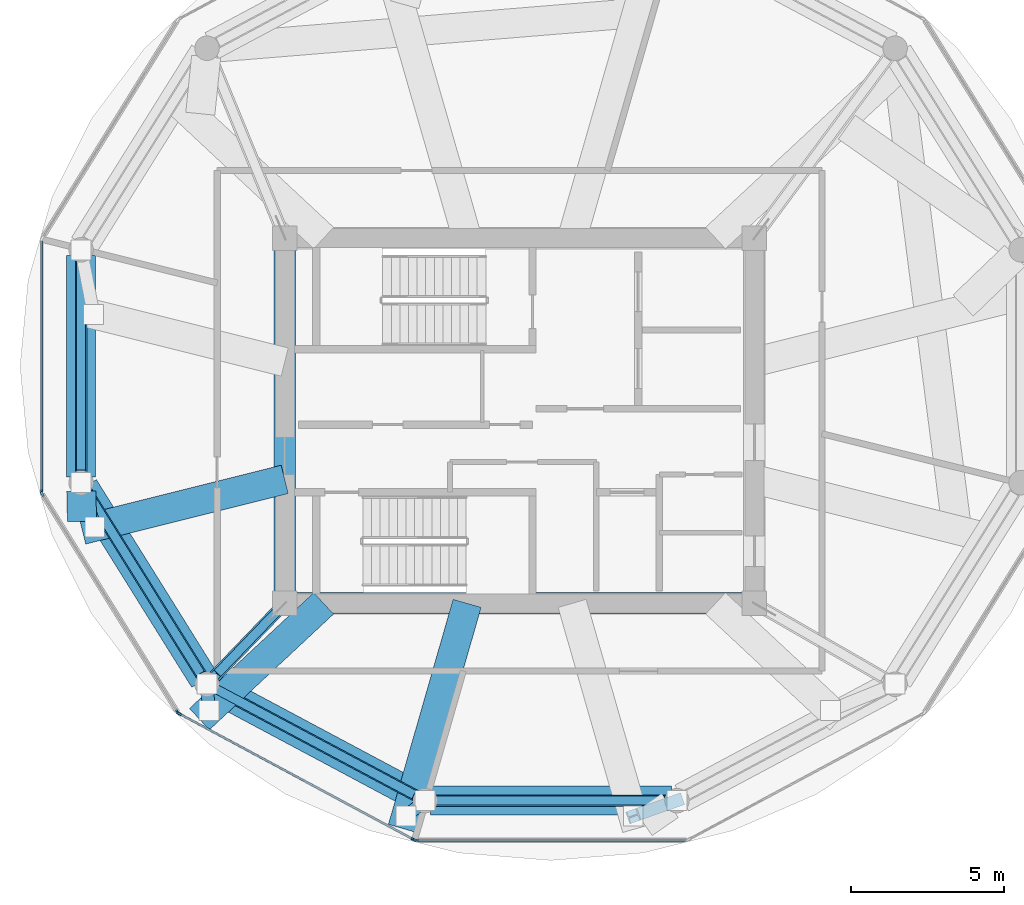
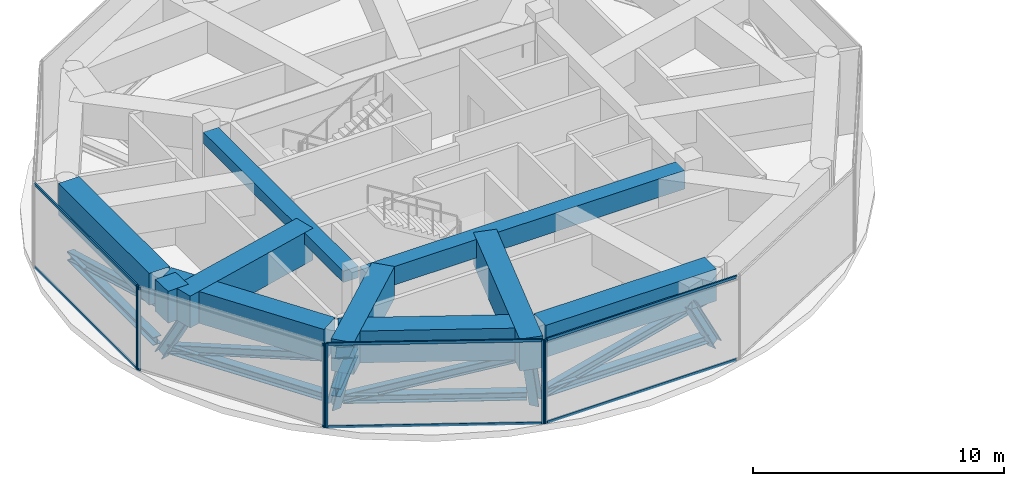
# One storey, part 2 of 20: 26 members, 10 beams, 4 elements without a shape of their own.
"""IFC4 building model written with IfcOpenShell, lengths in metres."""

from ifc_helpers import new_model, si_unit, direction, frame, origin, origin_2d, place, context, subcontext, project, spatial, rectangle, i_section, extrude, source, transform, mapped, material, layer, layer_set, material_profile, profile_set, type_object, type_shapes, element, aggregate, save


model = new_model("IFC4")

# Units and contexts
model_context = context("Model", 3, precision=1e-05, world=origin(), true_north=direction((0.0, 1.0)))
body_context = subcontext(model_context, "Body", "Model", "MODEL_VIEW")
ifc_project = project(units=[si_unit("LENGTHUNIT", "METRE"), si_unit("AREAUNIT", "SQUARE_METRE"), si_unit("VOLUMEUNIT", "CUBIC_METRE"), si_unit("PLANEANGLEUNIT", "RADIAN"), si_unit("MASSUNIT", "GRAM", prefix="KILO")], contexts=[model_context])

# Site, building, storey
site_placement = place(None, origin())
site = spatial("IfcSite", under=ifc_project, at=site_placement, CompositionType="ELEMENT")
building_placement = place(site_placement, origin())
building = spatial("IfcBuilding", under=site, at=building_placement, Name="Norrkilde Senior Care Towers", CompositionType="ELEMENT")
storey_placement = place(building_placement, frame((0.0, 0.0, 186.14990234375)))
storey = spatial("IfcBuildingStorey", under=building, at=storey_placement, Name="L58", CompositionType="ELEMENT", Elevation=186.14990234375)

# Beams
ifc_material_1 = material(Name="Concrete C60/75", Category="concrete")
ifc_material_profile_1 = material_profile(ifc_material_1, rectangle(XDim=0.699951171875, YDim=0.89990234375, at=origin_2d()), Name="RC BM 700x900")
ifc_profile_set_1 = profile_set([ifc_material_profile_1], Name="Concrete C60/75")
beam_type_1 = type_object("IfcBeamType", Name="Core Coupling Girder 700x900", PredefinedType="USERDEFINED", material=ifc_profile_set_1)
shared_shape_1 = source(origin(), body_context, "Body", "SweptSolid", [
    extrude(rectangle(XDim=0.699951171875, YDim=0.89990234375, at=origin_2d()), origin(), (0.0, 0.0, 1.0), 14.5400390625),
])
type_shapes(beam_type_1, [shared_shape_1])
beam_1_placement = place(storey_placement, frame((-35.27001953125, -5.949951171875, 3.630126953125), z_axis=(1.0, 0.0, 0.0), x_axis=(0.0, 1.0, 0.0)))
element("IfcBeam", 1, at=beam_1_placement, inside=storey, type_object=beam_type_1, Name="L58 Core W S Coupling Girder", ObjectType="GIRDER", PredefinedType="USERDEFINED", context=body_context, shape_type="MappedRepresentation", body=[
    mapped(shared_shape_1, transform((0.0, 0.0, 0.0), x_axis=(1.0, 0.0, 0.0), y_axis=(0.0, 1.0, 0.0), z_axis=(0.0, 0.0, 1.0), scale=1.0)),
])
ifc_material_profile_2 = material_profile(ifc_material_1, rectangle(XDim=0.699951171875, YDim=0.550048828125, at=origin_2d()), Name="RC BM 700x550")
ifc_profile_set_2 = profile_set([ifc_material_profile_2], Name="Concrete C60/75")
beam_type_2 = type_object("IfcBeamType", Name="Core Portal Coupling Beam 700x550", PredefinedType="USERDEFINED", material=ifc_profile_set_2)
shared_shape_2 = source(origin(), body_context, "Body", "SweptSolid", [
    extrude(rectangle(XDim=0.699951171875, YDim=0.550048828125, at=origin_2d()), origin(), (0.0, 0.0, 1.0), 11.14013671875),
])
type_shapes(beam_type_2, [shared_shape_2])
beam_2_placement = place(storey_placement, frame((-35.64990234375, -5.570068359375, 3.80517578125), z_axis=(0.0, 1.0, 0.0), x_axis=(-1.0, 0.0, 0.0)))
element("IfcBeam", 2, at=beam_2_placement, inside=storey, type_object=beam_type_2, Name="L58 Core W W Coupling Girder", ObjectType="GIRDER", PredefinedType="USERDEFINED", context=body_context, shape_type="MappedRepresentation", body=[
    mapped(shared_shape_2, transform((0.0, 0.0, 0.0), x_axis=(1.0, 0.0, 0.0), y_axis=(0.0, 1.0, 0.0), z_axis=(0.0, 0.0, 1.0), scale=1.0)),
])
ifc_material_profile_3 = material_profile(ifc_material_1, rectangle(XDim=0.949951171875, YDim=1.550048828125, at=origin_2d()), Name="RC TG 950x1550")
ifc_profile_set_3 = profile_set([ifc_material_profile_3], Name="Concrete C60/75")
beam_type_3 = type_object("IfcBeamType", Name="Transfer Girder Zone Shift 950x1550", PredefinedType="USERDEFINED", material=ifc_profile_set_3)
shared_shape_3 = source(origin(), body_context, "Body", "SweptSolid", [
    extrude(rectangle(XDim=0.949951171875, YDim=1.550048828125, at=origin_2d()), origin(), (0.0, 0.0, 1.0), 7.38330078125),
])
beam_3_placement = place(storey_placement, frame((-42.189453125, -2.1689453125, 3.30517578125), z_axis=(0.529755193474, -0.84815059688, 0.0), x_axis=(0.84815059688, 0.529755193474, 0.0)))
element("IfcBeam", 3, at=beam_3_placement, inside=storey, type_object=beam_type_3, Name="L58 Drum W Zone Ring Transfer Girder 07", ObjectType="GIRDER", PredefinedType="USERDEFINED", context=body_context, shape_type="MappedRepresentation", body=[
    mapped(shared_shape_3, transform((0.0, 0.0, 0.0), x_axis=(1.0, 0.0, 0.0), y_axis=(0.0, 1.0, 0.0), z_axis=(0.0, 0.0, 1.0), scale=1.0)),
])
shared_shape_4 = source(origin(), body_context, "Body", "SweptSolid", [
    extrude(rectangle(XDim=0.949951171875, YDim=1.550048828125, at=origin_2d()), origin(), (0.0, 0.0, 1.0), 7.844482421875),
])
beam_4_placement = place(storey_placement, frame((-30.897216796875, -12.37548828125, 3.30517578125), z_axis=(1.0, 0.0, 0.0), x_axis=(0.0, 1.0, 0.0)))
element("IfcBeam", 4, at=beam_4_placement, inside=storey, type_object=beam_type_3, Name="L58 Drum W Zone Ring Transfer Girder 09", ObjectType="GIRDER", PredefinedType="USERDEFINED", context=body_context, shape_type="MappedRepresentation", body=[
    mapped(shared_shape_4, transform((0.0, 0.0, 0.0), x_axis=(1.0, 0.0, 0.0), y_axis=(0.0, 1.0, 0.0), z_axis=(0.0, 0.0, 1.0), scale=1.0)),
])
shared_shape_5 = source(origin(), body_context, "Body", "SweptSolid", [
    extrude(rectangle(XDim=0.949951171875, YDim=1.550048828125, at=origin_2d()), origin(), (0.0, 0.0, 1.0), 7.69384765625),
])
beam_5_placement = place(storey_placement, frame((-38.02392578125, -8.66845703125, 3.30517578125), z_axis=(0.88223784603, -0.470803975166, 0.0), x_axis=(0.470803975166, 0.88223784603, 0.0)))
element("IfcBeam", 5, at=beam_5_placement, inside=storey, type_object=beam_type_3, Name="L58 Drum W Zone Ring Transfer Girder 08", ObjectType="GIRDER", PredefinedType="USERDEFINED", context=body_context, shape_type="MappedRepresentation", body=[
    mapped(shared_shape_5, transform((0.0, 0.0, 0.0), x_axis=(1.0, 0.0, 0.0), y_axis=(0.0, 1.0, 0.0), z_axis=(0.0, 0.0, 1.0), scale=1.0)),
])
shared_shape_6 = source(origin(), body_context, "Body", "SweptSolid", [
    extrude(rectangle(XDim=0.949951171875, YDim=1.550048828125, at=origin_2d()), origin(), (0.0, 0.0, 1.0), 7.223388671875),
])
beam_6_placement = place(storey_placement, frame((-42.284912109375, 5.386962890625, 3.30517578125), z_axis=(0.0, -1.0, 0.0), x_axis=(1.0, 0.0, 0.0)))
element("IfcBeam", 6, at=beam_6_placement, inside=storey, type_object=beam_type_3, Name="L58 Drum W Zone Ring Transfer Girder 06", ObjectType="GIRDER", PredefinedType="USERDEFINED", context=body_context, shape_type="MappedRepresentation", body=[
    mapped(shared_shape_6, transform((0.0, 0.0, 0.0), x_axis=(1.0, 0.0, 0.0), y_axis=(0.0, 1.0, 0.0), z_axis=(0.0, 0.0, 1.0), scale=1.0)),
])
shared_shape_7 = source(origin(), body_context, "Body", "SweptSolid", [
    extrude(rectangle(XDim=0.949951171875, YDim=1.550048828125, at=origin_2d()), origin(), (0.0, 0.0, 1.0), 6.800048828125),
])
beam_7_placement = place(storey_placement, frame((-35.64990234375, -1.910888671875, 3.30517578125), z_axis=(-0.970191054549, -0.242341324731, 0.0), x_axis=(0.242341324731, -0.970191054549, 0.0)))
element("IfcBeam", 7, at=beam_7_placement, inside=storey, type_object=beam_type_3, Name="L58 Drum W Zone Transfer Girder 07", ObjectType="GIRDER", PredefinedType="USERDEFINED", context=body_context, shape_type="MappedRepresentation", body=[
    mapped(shared_shape_7, transform((0.0, 0.0, 0.0), x_axis=(1.0, 0.0, 0.0), y_axis=(0.0, 1.0, 0.0), z_axis=(0.0, 0.0, 1.0), scale=1.0)),
])

# Member
ifc_material_2 = material(Name="Steel S355", Category="steel")
ifc_material_profile_4 = material_profile(ifc_material_2, i_section(OverallWidth=0.412109375, OverallDepth=0.449951171875, WebThickness=0.028076171875, FlangeThickness=0.044921875, FilletRadius=0.014892578125, at=origin_2d()), Name="HD 400x509")
ifc_profile_set_4 = profile_set([ifc_material_profile_4], Name="Steel S355")
member_type_1 = type_object("IfcMemberType", Name="Pratt Bridge Truss Diagonal HD400x509", PredefinedType="BRACE", material=ifc_profile_set_4)
shared_shape_8 = source(origin(), body_context, "Body", "SweptSolid", [
    extrude(i_section(OverallWidth=0.412109375, OverallDepth=0.449951171875, WebThickness=0.028076171875, FlangeThickness=0.044921875, FilletRadius=0.014892578125, at=origin_2d()), origin(), (0.0, 0.0, 1.0), 3.074951171875),
])
member_1_placement = place(storey_placement, frame((-42.284912109375, -2.016357421875, 0.150146484375), z_axis=(0.144737405978, -0.468510933997, 0.871520847735), x_axis=(0.955445820467, 0.295166536301, 0.0)))
element("IfcMember", 8, at=member_1_placement, inside=storey, type_object=member_type_1, Name="L58 Drum W Zone Transfer Raking Strut 07", PredefinedType="BRACE", context=body_context, shape_type="MappedRepresentation", body=[
    mapped(shared_shape_8, transform((0.0, 0.0, 0.0), x_axis=(1.0, 0.0, 0.0), y_axis=(0.0, 1.0, 0.0), z_axis=(0.0, 0.0, 1.0), scale=1.0)),
])

# Beams
shared_shape_9 = source(origin(), body_context, "Body", "SweptSolid", [
    extrude(rectangle(XDim=0.949951171875, YDim=1.550048828125, at=origin_2d()), origin(), (0.0, 0.0, 1.0), 0.98291015625),
])
beam_8_placement = place(storey_placement, frame((-42.254150390625, -3.27880859375, 3.30517578125), z_axis=(-0.024340612396, 0.999703723404, 0.0), x_axis=(-0.999703723404, -0.024340612396, 0.0)))
element("IfcBeam", 9, at=beam_8_placement, inside=storey, type_object=beam_type_3, Name="L58 Drum W Zone Star Transfer Tie 07", ObjectType="GIRDER", PredefinedType="USERDEFINED", context=body_context, shape_type="MappedRepresentation", body=[
    mapped(shared_shape_9, transform((0.0, 0.0, 0.0), x_axis=(1.0, 0.0, 0.0), y_axis=(0.0, 1.0, 0.0), z_axis=(0.0, 0.0, 1.0), scale=1.0)),
])
shared_shape_10 = source(origin(), body_context, "Body", "SweptSolid", [
    extrude(rectangle(XDim=0.949951171875, YDim=1.550048828125, at=origin_2d()), origin(), (0.0, 0.0, 1.0), 5.532958984375),
])
beam_9_placement = place(storey_placement, frame((-34.3828125, -5.949951171875, 3.30517578125), z_axis=(-0.731470395808, -0.681873199398, 0.0), x_axis=(0.681873199398, -0.731470395808, 0.0)))
element("IfcBeam", 10, at=beam_9_placement, inside=storey, type_object=beam_type_3, Name="L58 Drum W Zone Transfer Girder 08", ObjectType="GIRDER", PredefinedType="USERDEFINED", context=body_context, shape_type="MappedRepresentation", body=[
    mapped(shared_shape_10, transform((0.0, 0.0, 0.0), x_axis=(1.0, 0.0, 0.0), y_axis=(0.0, 1.0, 0.0), z_axis=(0.0, 0.0, 1.0), scale=1.0)),
])

# Member
shared_shape_11 = source(origin(), body_context, "Body", "SweptSolid", [
    extrude(i_section(OverallWidth=0.412109375, OverallDepth=0.449951171875, WebThickness=0.028076171875, FlangeThickness=0.044921875, FilletRadius=0.014892578125, at=origin_2d()), origin(), (0.0, 0.0, 1.0), 2.81298828125),
])
member_2_placement = place(storey_placement, frame((-38.1826171875, -8.583740234375, 0.150146484375), z_axis=(0.021351053054, -0.303080801884, 0.952725647846), x_axis=(0.99752782651, 0.070272578844, 0.0)))
element("IfcMember", 11, at=member_2_placement, inside=storey, type_object=member_type_1, Name="L58 Drum W Zone Transfer Raking Strut 08", PredefinedType="BRACE", context=body_context, shape_type="MappedRepresentation", body=[
    mapped(shared_shape_11, transform((0.0, 0.0, 0.0), x_axis=(1.0, 0.0, 0.0), y_axis=(0.0, 1.0, 0.0), z_axis=(0.0, 0.0, 1.0), scale=1.0)),
])

# Beam
shared_shape_12 = source(origin(), body_context, "Body", "SweptSolid", [
    extrude(rectangle(XDim=0.949951171875, YDim=1.550048828125, at=origin_2d()), origin(), (0.0, 0.0, 1.0), 7.62841796875),
])
type_shapes(beam_type_3, [shared_shape_3, shared_shape_4, shared_shape_5, shared_shape_6, shared_shape_7, shared_shape_9, shared_shape_10, shared_shape_12])
beam_10_placement = place(storey_placement, frame((-29.710205078125, -5.949951171875, 3.30517578125), z_axis=(-0.276259388363, -0.961083113129, 0.0), x_axis=(0.961083113129, -0.276259388363, 0.0)))
element("IfcBeam", 12, at=beam_10_placement, inside=storey, type_object=beam_type_3, Name="L58 Drum W Zone Transfer Girder 09", ObjectType="GIRDER", PredefinedType="USERDEFINED", context=body_context, shape_type="MappedRepresentation", body=[
    mapped(shared_shape_12, transform((0.0, 0.0, 0.0), x_axis=(1.0, 0.0, 0.0), y_axis=(0.0, 1.0, 0.0), z_axis=(0.0, 0.0, 1.0), scale=1.0)),
])

# Members
shared_shape_13 = source(origin(), body_context, "Body", "SweptSolid", [
    extrude(i_section(OverallWidth=0.412109375, OverallDepth=0.449951171875, WebThickness=0.028076171875, FlangeThickness=0.044921875, FilletRadius=0.014892578125, at=origin_2d()), origin(), (0.0, 0.0, 1.0), 2.797119140625),
])
member_3_placement = place(storey_placement, frame((-31.077392578125, -12.37548828125, 0.150146484375), z_axis=(-0.223177834315, -0.179624553391, 0.958084899208), x_axis=(0.626995876772, -0.779022573813, 0.0)))
element("IfcMember", 13, at=member_3_placement, inside=storey, type_object=member_type_1, Name="L58 Drum W Zone Transfer Raking Strut 09", PredefinedType="BRACE", context=body_context, shape_type="MappedRepresentation", body=[
    mapped(shared_shape_13, transform((0.0, 0.0, 0.0), x_axis=(1.0, 0.0, 0.0), y_axis=(0.0, 1.0, 0.0), z_axis=(0.0, 0.0, 1.0), scale=1.0)),
])
shared_shape_14 = source(origin(), body_context, "Body", "SweptSolid", [
    extrude(i_section(OverallWidth=0.412109375, OverallDepth=0.449951171875, WebThickness=0.028076171875, FlangeThickness=0.044921875, FilletRadius=0.014892578125, at=origin_2d()), origin(), (0.0, 0.0, 1.0), 3.076904296875),
])
type_shapes(member_type_1, [shared_shape_8, shared_shape_11, shared_shape_13, shared_shape_14])
member_4_placement = place(storey_placement, frame((-22.872802734375, -12.37548828125, 0.150146484375), z_axis=(-0.463319591503, -0.163300517094, 0.871015440303), x_axis=(0.332414539727, -0.943133380693, 0.0)))
element("IfcMember", 14, at=member_4_placement, inside=storey, type_object=member_type_1, Name="L58 Drum W Zone Transfer Raking Strut 10", PredefinedType="BRACE", context=body_context, shape_type="MappedRepresentation", body=[
    mapped(shared_shape_14, transform((0.0, 0.0, 0.0), x_axis=(1.0, 0.0, 0.0), y_axis=(0.0, 1.0, 0.0), z_axis=(0.0, 0.0, 1.0), scale=1.0)),
])
ifc_material_profile_5 = material_profile(ifc_material_2, i_section(OverallWidth=0.300048828125, OverallDepth=0.39990234375, WebThickness=0.013427734375, FlangeThickness=0.02392578125, FilletRadius=0.027099609375, at=origin_2d()), Name="HEB 400")
ifc_profile_set_5 = profile_set([ifc_material_profile_5], Name="Steel S355")
member_type_2 = type_object("IfcMemberType", Name="Belt Truss Diagonal HEB400", PredefinedType="BRACE", material=ifc_profile_set_5)
shared_shape_15 = source(origin(), body_context, "Body", "SweptSolid", [
    extrude(i_section(OverallWidth=0.300048828125, OverallDepth=0.39990234375, WebThickness=0.013427734375, FlangeThickness=0.02392578125, FilletRadius=0.027099609375, at=origin_2d()), origin(), (0.0, 0.0, 1.0), 7.28369140625),
])
member_5_placement = place(storey_placement, frame((-42.09423828125, -2.32177734375, 0.550048828125), z_axis=(0.510868141295, -0.81780466579, 0.264970320644), x_axis=(0.848119362441, 0.529805197269, 0.0)))
element("IfcMember", 15, at=member_5_placement, inside=storey, type_object=member_type_2, Name="L58 Drum W Belt Truss Diagonal 07", PredefinedType="BRACE", context=body_context, shape_type="MappedRepresentation", body=[
    mapped(shared_shape_15, transform((0.0, 0.0, 0.0), x_axis=(1.0, 0.0, 0.0), y_axis=(0.0, 1.0, 0.0), z_axis=(0.0, 0.0, 1.0), scale=1.0)),
])
shared_shape_16 = source(origin(), body_context, "Body", "SweptSolid", [
    extrude(i_section(OverallWidth=0.300048828125, OverallDepth=0.39990234375, WebThickness=0.013427734375, FlangeThickness=0.02392578125, FilletRadius=0.027099609375, at=origin_2d()), origin(), (0.0, 0.0, 1.0), 7.58349609375),
])
member_6_placement = place(storey_placement, frame((-37.864990234375, -8.753173828125, 0.550048828125), z_axis=(0.853187267033, -0.455310071604, 0.254488164889), x_axis=(0.470811109101, 0.882234038987, 0.0)))
element("IfcMember", 16, at=member_6_placement, inside=storey, type_object=member_type_2, Name="L58 Drum W Belt Truss Diagonal 08", PredefinedType="BRACE", context=body_context, shape_type="MappedRepresentation", body=[
    mapped(shared_shape_16, transform((0.0, 0.0, 0.0), x_axis=(1.0, 0.0, 0.0), y_axis=(0.0, 1.0, 0.0), z_axis=(0.0, 0.0, 1.0), scale=1.0)),
])
ifc_material_profile_6 = material_profile(ifc_material_2, i_section(OverallWidth=0.3740234375, OverallDepth=0.386962890625, WebThickness=0.01611328125, FlangeThickness=0.027099609375, FilletRadius=0.014892578125, at=origin_2d()), Name="HD 360x262")
ifc_profile_set_6 = profile_set([ifc_material_profile_6], Name="Steel S355")
member_type_3 = type_object("IfcMemberType", Name="Belt Truss Ring Chord HD360x262", PredefinedType="CHORD", material=ifc_profile_set_6)
shared_shape_17 = source(origin(), body_context, "Body", "SweptSolid", [
    extrude(i_section(OverallWidth=0.3740234375, OverallDepth=0.386962890625, WebThickness=0.01611328125, FlangeThickness=0.027099609375, FilletRadius=0.014892578125, at=origin_2d()), origin(), (0.0, 0.0, 1.0), 7.484619140625),
])
member_7_placement = place(storey_placement, frame((-30.71728515625, -12.37548828125, 0.550048828125), z_axis=(1.0, 0.0, 0.0), x_axis=(0.0, 1.0, 0.0)))
element("IfcMember", 17, at=member_7_placement, inside=storey, type_object=member_type_3, Name="L58 Drum W Belt Truss Bottom Chord 09", PredefinedType="CHORD", context=body_context, shape_type="MappedRepresentation", body=[
    mapped(shared_shape_17, transform((0.0, 0.0, 0.0), x_axis=(1.0, 0.0, 0.0), y_axis=(0.0, 1.0, 0.0), z_axis=(0.0, 0.0, 1.0), scale=1.0)),
])
shared_shape_18 = source(origin(), body_context, "Body", "SweptSolid", [
    extrude(i_section(OverallWidth=0.300048828125, OverallDepth=0.39990234375, WebThickness=0.013427734375, FlangeThickness=0.02392578125, FilletRadius=0.027099609375, at=origin_2d()), origin(), (0.0, 0.0, 1.0), 7.7294921875),
])
member_8_placement = place(storey_placement, frame((-30.71728515625, -12.37548828125, 0.550048828125), z_axis=(0.968326855908, 0.0, 0.249686003065), x_axis=(0.0, 1.0, 0.0)))
element("IfcMember", 18, at=member_8_placement, inside=storey, type_object=member_type_2, Name="L58 Drum W Belt Truss Diagonal 09", PredefinedType="BRACE", context=body_context, shape_type="MappedRepresentation", body=[
    mapped(shared_shape_18, transform((0.0, 0.0, 0.0), x_axis=(1.0, 0.0, 0.0), y_axis=(0.0, 1.0, 0.0), z_axis=(0.0, 0.0, 1.0), scale=1.0)),
])
shared_shape_19 = source(origin(), body_context, "Body", "SweptSolid", [
    extrude(i_section(OverallWidth=0.3740234375, OverallDepth=0.386962890625, WebThickness=0.01611328125, FlangeThickness=0.027099609375, FilletRadius=0.014892578125, at=origin_2d()), origin(), (0.0, 0.0, 1.0), 6.86328125),
])
member_9_placement = place(storey_placement, frame((-42.284912109375, 5.20703125, 0.550048828125), z_axis=(0.0, -1.0, 0.0), x_axis=(1.0, 0.0, 0.0)))
element("IfcMember", 19, at=member_9_placement, inside=storey, type_object=member_type_3, Name="L58 Drum W Belt Truss Bottom Chord 06", PredefinedType="CHORD", context=body_context, shape_type="MappedRepresentation", body=[
    mapped(shared_shape_19, transform((0.0, 0.0, 0.0), x_axis=(1.0, 0.0, 0.0), y_axis=(0.0, 1.0, 0.0), z_axis=(0.0, 0.0, 1.0), scale=1.0)),
])
shared_shape_20 = source(origin(), body_context, "Body", "SweptSolid", [
    extrude(i_section(OverallWidth=0.300048828125, OverallDepth=0.39990234375, WebThickness=0.013427734375, FlangeThickness=0.02392578125, FilletRadius=0.027099609375, at=origin_2d()), origin(), (0.0, 0.0, 1.0), 7.12939453125),
])
type_shapes(member_type_2, [shared_shape_15, shared_shape_16, shared_shape_18, shared_shape_20])
member_10_placement = place(storey_placement, frame((-42.284912109375, 5.20703125, 0.550048828125), z_axis=(0.0, -0.962664326635, 0.270697976026), x_axis=(1.0, 0.0, 0.0)))
element("IfcMember", 20, at=member_10_placement, inside=storey, type_object=member_type_2, Name="L58 Drum W Belt Truss Diagonal 06", PredefinedType="BRACE", context=body_context, shape_type="MappedRepresentation", body=[
    mapped(shared_shape_20, transform((0.0, 0.0, 0.0), x_axis=(1.0, 0.0, 0.0), y_axis=(0.0, 1.0, 0.0), z_axis=(0.0, 0.0, 1.0), scale=1.0)),
])
shared_shape_21 = source(origin(), body_context, "Body", "SweptSolid", [
    extrude(i_section(OverallWidth=0.3740234375, OverallDepth=0.386962890625, WebThickness=0.01611328125, FlangeThickness=0.027099609375, FilletRadius=0.014892578125, at=origin_2d()), origin(), (0.0, 0.0, 1.0), 7.023193359375),
])
member_11_placement = place(storey_placement, frame((-42.09423828125, -2.32177734375, 0.550048828125), z_axis=(0.529805197269, -0.848119362441, 0.0), x_axis=(0.848119362441, 0.529805197269, 0.0)))
element("IfcMember", 21, at=member_11_placement, inside=storey, type_object=member_type_3, Name="L58 Drum W Belt Truss Bottom Chord 07", PredefinedType="CHORD", context=body_context, shape_type="MappedRepresentation", body=[
    mapped(shared_shape_21, transform((0.0, 0.0, 0.0), x_axis=(1.0, 0.0, 0.0), y_axis=(0.0, 1.0, 0.0), z_axis=(0.0, 0.0, 1.0), scale=1.0)),
])
shared_shape_22 = source(origin(), body_context, "Body", "SweptSolid", [
    extrude(i_section(OverallWidth=0.3740234375, OverallDepth=0.386962890625, WebThickness=0.01611328125, FlangeThickness=0.027099609375, FilletRadius=0.014892578125, at=origin_2d()), origin(), (0.0, 0.0, 1.0), 7.333984375),
])
type_shapes(member_type_3, [shared_shape_17, shared_shape_19, shared_shape_21, shared_shape_22])
member_12_placement = place(storey_placement, frame((-37.864990234375, -8.753173828125, 0.550048828125), z_axis=(0.882234038987, -0.470811109101, 0.0), x_axis=(0.470811109101, 0.882234038987, 0.0)))
element("IfcMember", 22, at=member_12_placement, inside=storey, type_object=member_type_3, Name="L58 Drum W Belt Truss Bottom Chord 08", PredefinedType="CHORD", context=body_context, shape_type="MappedRepresentation", body=[
    mapped(shared_shape_22, transform((0.0, 0.0, 0.0), x_axis=(1.0, 0.0, 0.0), y_axis=(0.0, 1.0, 0.0), z_axis=(0.0, 0.0, 1.0), scale=1.0)),
])
ifc_material_profile_7 = material_profile(ifc_material_2, i_section(OverallWidth=0.402099609375, OverallDepth=0.419921875, WebThickness=0.02001953125, FlangeThickness=0.032958984375, FilletRadius=0.014892578125, at=origin_2d()), Name="HD 400x347")
ifc_profile_set_7 = profile_set([ifc_material_profile_7], Name="Steel S355")
member_type_4 = type_object("IfcMemberType", Name="Outrigger Truss Chord HD400x347", PredefinedType="CHORD", material=ifc_profile_set_7)
shared_shape_23 = source(origin(), body_context, "Body", "SweptSolid", [
    extrude(i_section(OverallWidth=0.402099609375, OverallDepth=0.419921875, WebThickness=0.02001953125, FlangeThickness=0.032958984375, FilletRadius=0.014892578125, at=origin_2d()), origin(), (0.0, 0.0, 1.0), 2.933837890625),
])
type_shapes(member_type_4, [shared_shape_23])
member_13_placement = place(storey_placement, frame((-35.8994140625, -6.20947265625, 0.550048828125), z_axis=(-0.693158603606, -0.720785092969, 0.0), x_axis=(0.720785092969, -0.693158603606, 0.0)))
element("IfcMember", 23, at=member_13_placement, inside=storey, type_object=member_type_4, Name="L58 Drum W Outrigger Chord 1", PredefinedType="CHORD", context=body_context, shape_type="MappedRepresentation", body=[
    mapped(shared_shape_23, transform((0.0, 0.0, 0.0), x_axis=(1.0, 0.0, 0.0), y_axis=(0.0, 1.0, 0.0), z_axis=(0.0, 0.0, 1.0), scale=1.0)),
])
ifc_material_profile_8 = material_profile(ifc_material_2, i_section(OverallWidth=0.300048828125, OverallDepth=0.5, WebThickness=0.014404296875, FlangeThickness=0.028076171875, FilletRadius=0.027099609375, at=origin_2d()), Name="HEB 500")
ifc_profile_set_8 = profile_set([ifc_material_profile_8], Name="Steel S355")
member_type_5 = type_object("IfcMemberType", Name="Outrigger Truss Diagonal HEB500", PredefinedType="BRACE", material=ifc_profile_set_8)
shared_shape_24 = source(origin(), body_context, "Body", "SweptSolid", [
    extrude(i_section(OverallWidth=0.300048828125, OverallDepth=0.5, WebThickness=0.014404296875, FlangeThickness=0.028076171875, FilletRadius=0.027099609375, at=origin_2d()), origin(), (0.0, 0.0, 1.0), 3.51171875),
])
type_shapes(member_type_5, [shared_shape_24])
member_14_placement = place(storey_placement, frame((-35.8994140625, -6.20947265625, 0.550048828125), z_axis=(-0.579103490549, -0.602184205898, 0.549557394092), x_axis=(0.720785092969, -0.693158603606, 0.0)))
element("IfcMember", 24, at=member_14_placement, inside=storey, type_object=member_type_5, Name="L58 Drum W Outrigger Diagonal 1", PredefinedType="BRACE", context=body_context, shape_type="MappedRepresentation", body=[
    mapped(shared_shape_24, transform((0.0, 0.0, 0.0), x_axis=(1.0, 0.0, 0.0), y_axis=(0.0, 1.0, 0.0), z_axis=(0.0, 0.0, 1.0), scale=1.0)),
])

# Curtain wall, member
ifc_material_3 = material(Name="Triple Low-E Insulated Glazing", Category="glass")
ifc_layer = layer(ifc_material_3, 0.18505859375)
ifc_layer_set = layer_set([ifc_layer], Name="Triple Low-E Insulated Glazing")
curtain_wall_type = type_object("IfcCurtainWallType", Name="CW6 Zone 4 Crown Pavilion Curtain Wall", PredefinedType="NOTDEFINED", material=ifc_layer_set)
curtain_wall_1_placement = place(storey_placement, origin())
curtain_wall_1 = element("IfcCurtainWall", 25, at=curtain_wall_1_placement, inside=storey, type_object=curtain_wall_type, Name="L58 Drum W Curtain Wall 05", PredefinedType="NOTDEFINED")
ifc_material_4 = material(Name="Anodised Aluminium", Category="aluminium")
ifc_material_profile_9 = material_profile(ifc_material_4, rectangle(XDim=0.070068359375, YDim=0.169921875, at=origin_2d()), Name="ALU MULL 70x170")
ifc_profile_set_9 = profile_set([ifc_material_profile_9], Name="Anodised Aluminium")
member_type_6 = type_object("IfcMemberType", Name="Curtain Wall Mullion Heavy 70x170", PredefinedType="MULLION", material=ifc_profile_set_9)
shared_shape_25 = source(origin(), body_context, "Body", "SweptSolid", [
    extrude(rectangle(XDim=0.070068359375, YDim=0.169921875, at=origin_2d()), origin(), (0.0, 0.0, 1.0), 4.080078125),
])
type_shapes(member_type_6, [shared_shape_25])
member_15_placement = place(storey_placement, frame((-43.569580078125, -2.32568359375, 0.0), z_axis=(0.0, 0.0, 1.0), x_axis=(-1.0, 0.0, 0.0)))
member_15 = element("IfcMember", 26, at=member_15_placement, type_object=member_type_6, Name="CW-6 mullion 1", PredefinedType="MULLION", context=body_context, shape_type="MappedRepresentation", body=[
    mapped(shared_shape_25, transform((0.0, 0.0, 0.0), x_axis=(1.0, 0.0, 0.0), y_axis=(0.0, 1.0, 0.0), z_axis=(0.0, 0.0, 1.0), scale=1.0)),
])

# Curtain wall, members
curtain_wall_2_placement = place(storey_placement, origin())
curtain_wall_2 = element("IfcCurtainWall", 27, at=curtain_wall_2_placement, inside=storey, type_object=curtain_wall_type, Name="L58 Drum W Curtain Wall 06", PredefinedType="NOTDEFINED")
member_16_placement = place(storey_placement, frame((-39.1416015625, -9.494384765625, 0.0), z_axis=(0.0, 0.0, 1.0), x_axis=(-0.84963405474, -0.52737270789, 0.0)))
member_16 = element("IfcMember", 28, at=member_16_placement, type_object=member_type_6, Name="CW-6 mullion 1", PredefinedType="MULLION", context=body_context, shape_type="MappedRepresentation", body=[
    mapped(shared_shape_25, transform((0.0, 0.0, 0.0), x_axis=(1.0, 0.0, 0.0), y_axis=(0.0, 1.0, 0.0), z_axis=(0.0, 0.0, 1.0), scale=1.0)),
])
member_17_placement = place(storey_placement, frame((-43.55126953125, -2.390380859375, 0.0), z_axis=(0.0, 0.0, 1.0), x_axis=(-0.84963405474, -0.52737270789, 0.0)))
member_17 = element("IfcMember", 29, at=member_17_placement, type_object=member_type_6, Name="CW-6 mullion 2", PredefinedType="MULLION", context=body_context, shape_type="MappedRepresentation", body=[
    mapped(shared_shape_25, transform((0.0, 0.0, 0.0), x_axis=(1.0, 0.0, 0.0), y_axis=(0.0, 1.0, 0.0), z_axis=(0.0, 0.0, 1.0), scale=1.0)),
])
aggregate(curtain_wall_2, [member_16, member_17])

curtain_wall_3_placement = place(storey_placement, origin())
curtain_wall_3 = element("IfcCurtainWall", 30, at=curtain_wall_3_placement, inside=storey, type_object=curtain_wall_type, Name="L58 Drum W Curtain Wall 07", PredefinedType="NOTDEFINED")
member_18_placement = place(storey_placement, frame((-31.452392578125, -13.6435546875, 0.0), z_axis=(0.0, 0.0, 1.0), x_axis=(-0.47311715104, -0.880999524059, 0.0)))
member_18 = element("IfcMember", 31, at=member_18_placement, type_object=member_type_6, Name="CW-6 mullion 1", PredefinedType="MULLION", context=body_context, shape_type="MappedRepresentation", body=[
    mapped(shared_shape_25, transform((0.0, 0.0, 0.0), x_axis=(1.0, 0.0, 0.0), y_axis=(0.0, 1.0, 0.0), z_axis=(0.0, 0.0, 1.0), scale=1.0)),
])
member_19_placement = place(storey_placement, frame((-39.09228515625, -9.540771484375, 0.0), z_axis=(0.0, 0.0, 1.0), x_axis=(-0.47311715104, -0.880999524059, 0.0)))
member_19 = element("IfcMember", 32, at=member_19_placement, type_object=member_type_6, Name="CW-6 mullion 2", PredefinedType="MULLION", context=body_context, shape_type="MappedRepresentation", body=[
    mapped(shared_shape_25, transform((0.0, 0.0, 0.0), x_axis=(1.0, 0.0, 0.0), y_axis=(0.0, 1.0, 0.0), z_axis=(0.0, 0.0, 1.0), scale=1.0)),
])

# Curtain wall, member
curtain_wall_4_placement = place(storey_placement, origin())
curtain_wall_4 = element("IfcCurtainWall", 33, at=curtain_wall_4_placement, inside=storey, type_object=curtain_wall_type, Name="L58 Drum W Curtain Wall 08", PredefinedType="NOTDEFINED")
member_20_placement = place(storey_placement, frame((-31.386474609375, -13.66015625, 0.0), z_axis=(0.0, 0.0, 1.0), x_axis=(0.0, -1.0, 0.0)))
member_20 = element("IfcMember", 34, at=member_20_placement, type_object=member_type_6, Name="CW-6 mullion 2", PredefinedType="MULLION", context=body_context, shape_type="MappedRepresentation", body=[
    mapped(shared_shape_25, transform((0.0, 0.0, 0.0), x_axis=(1.0, 0.0, 0.0), y_axis=(0.0, 1.0, 0.0), z_axis=(0.0, 0.0, 1.0), scale=1.0)),
])

# Member
ifc_material_profile_10 = material_profile(ifc_material_4, rectangle(XDim=0.06494140625, YDim=0.1298828125, at=origin_2d()), Name="ALU TRAN 65x130")
ifc_profile_set_10 = profile_set([ifc_material_profile_10], Name="Anodised Aluminium")
member_type_7 = type_object("IfcMemberType", Name="Curtain Wall Transom Heavy 65x130", PredefinedType="USERDEFINED", material=ifc_profile_set_10)
shared_shape_26 = source(origin(), body_context, "Body", "SweptSolid", [
    extrude(rectangle(XDim=0.06494140625, YDim=0.1298828125, at=origin_2d()), origin(), (0.0, 0.0, 1.0), 8.601806640625),
])
member_21_placement = place(storey_placement, frame((-31.483154296875, -13.626953125, 0.03271484375), z_axis=(-0.881008230911, 0.473100937504, 0.0), x_axis=(-0.473100937504, -0.881008230911, 0.0)))
member_21 = element("IfcMember", 35, at=member_21_placement, type_object=member_type_7, Name="CW-6 transom 1.1", ObjectType="TRANSOM", PredefinedType="USERDEFINED", context=body_context, shape_type="MappedRepresentation", body=[
    mapped(shared_shape_26, transform((0.0, 0.0, 0.0), x_axis=(1.0, 0.0, 0.0), y_axis=(0.0, 1.0, 0.0), z_axis=(0.0, 0.0, 1.0), scale=1.0)),
])

member_22_placement = place(storey_placement, frame((-31.483154296875, -13.626953125, 4.047607421875), z_axis=(-0.881008230911, 0.473100937504, 0.0), x_axis=(-0.473100937504, -0.881008230911, 0.0)))
member_22 = element("IfcMember", 36, at=member_22_placement, type_object=member_type_7, Name="CW-6 transom 1.2", ObjectType="TRANSOM", PredefinedType="USERDEFINED", context=body_context, shape_type="MappedRepresentation", body=[
    mapped(shared_shape_26, transform((0.0, 0.0, 0.0), x_axis=(1.0, 0.0, 0.0), y_axis=(0.0, 1.0, 0.0), z_axis=(0.0, 0.0, 1.0), scale=1.0)),
])

aggregate(curtain_wall_3, [member_18, member_19, member_21, member_22])

shared_shape_27 = source(origin(), body_context, "Body", "SweptSolid", [
    extrude(rectangle(XDim=0.06494140625, YDim=0.1298828125, at=origin_2d()), origin(), (0.0, 0.0, 1.0), 8.753173828125),
])
member_23_placement = place(storey_placement, frame((-22.598388671875, -13.66015625, 0.03271484375), z_axis=(-1.0, 0.0, 0.0), x_axis=(0.0, -1.0, 0.0)))
member_23 = element("IfcMember", 37, at=member_23_placement, type_object=member_type_7, Name="CW-6 transom 1.1", ObjectType="TRANSOM", PredefinedType="USERDEFINED", context=body_context, shape_type="MappedRepresentation", body=[
    mapped(shared_shape_27, transform((0.0, 0.0, 0.0), x_axis=(1.0, 0.0, 0.0), y_axis=(0.0, 1.0, 0.0), z_axis=(0.0, 0.0, 1.0), scale=1.0)),
])

member_24_placement = place(storey_placement, frame((-22.598388671875, -13.66015625, 4.047607421875), z_axis=(-1.0, 0.0, 0.0), x_axis=(0.0, -1.0, 0.0)))
member_24 = element("IfcMember", 38, at=member_24_placement, type_object=member_type_7, Name="CW-6 transom 1.2", ObjectType="TRANSOM", PredefinedType="USERDEFINED", context=body_context, shape_type="MappedRepresentation", body=[
    mapped(shared_shape_27, transform((0.0, 0.0, 0.0), x_axis=(1.0, 0.0, 0.0), y_axis=(0.0, 1.0, 0.0), z_axis=(0.0, 0.0, 1.0), scale=1.0)),
])

aggregate(curtain_wall_4, [member_20, member_23, member_24])

shared_shape_28 = source(origin(), body_context, "Body", "SweptSolid", [
    extrude(rectangle(XDim=0.06494140625, YDim=0.1298828125, at=origin_2d()), origin(), (0.0, 0.0, 1.0), 8.1318359375),
])
type_shapes(member_type_7, [shared_shape_26, shared_shape_27, shared_shape_28])
member_25_placement = place(storey_placement, frame((-43.569580078125, -2.29052734375, 0.03271484375), z_axis=(0.0, 1.0, 0.0), x_axis=(-1.0, 0.0, 0.0)))
member_25 = element("IfcMember", 39, at=member_25_placement, type_object=member_type_7, Name="CW-6 transom 1.1", ObjectType="TRANSOM", PredefinedType="USERDEFINED", context=body_context, shape_type="MappedRepresentation", body=[
    mapped(shared_shape_28, transform((0.0, 0.0, 0.0), x_axis=(1.0, 0.0, 0.0), y_axis=(0.0, 1.0, 0.0), z_axis=(0.0, 0.0, 1.0), scale=1.0)),
])

member_26_placement = place(storey_placement, frame((-43.569580078125, -2.29052734375, 4.047607421875), z_axis=(0.0, 1.0, 0.0), x_axis=(-1.0, 0.0, 0.0)))
member_26 = element("IfcMember", 40, at=member_26_placement, type_object=member_type_7, Name="CW-6 transom 1.2", ObjectType="TRANSOM", PredefinedType="USERDEFINED", context=body_context, shape_type="MappedRepresentation", body=[
    mapped(shared_shape_28, transform((0.0, 0.0, 0.0), x_axis=(1.0, 0.0, 0.0), y_axis=(0.0, 1.0, 0.0), z_axis=(0.0, 0.0, 1.0), scale=1.0)),
])

aggregate(curtain_wall_1, [member_15, member_25, member_26])

save(model, "model.ifc")
